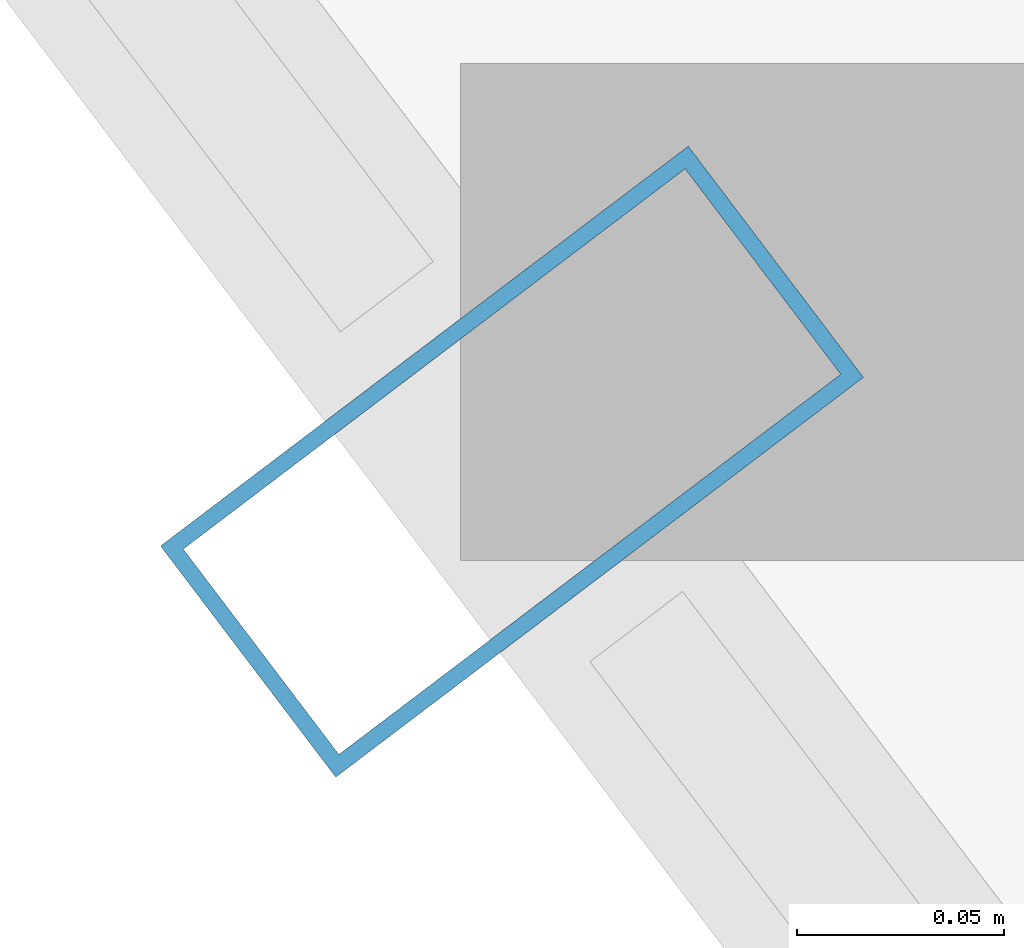
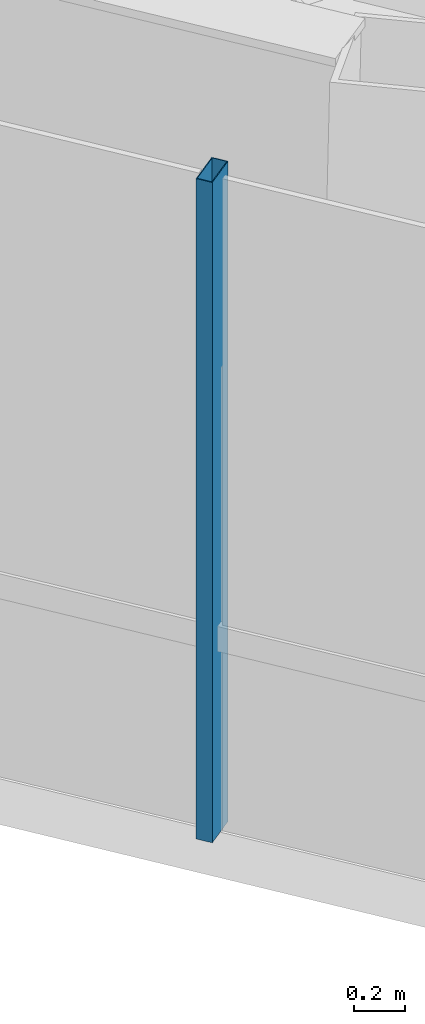
# One storey, part 5 of 27: 1 member, 1 element without a shape of its own.
"""IFC4 building model written with IfcOpenShell, lengths in metres."""

from ifc_helpers import new_model, si_unit, direction, frame, origin, origin_2d, place, context, subcontext, project, spatial, hollow_rectangle, extrude, material, layer, layer_set, material_profile, profile_set, type_object, element, aggregate, save


model = new_model("IFC4")

# Units and contexts
model_context = context("Model", 3, precision=1e-05, world=origin(), true_north=direction((0.0, 1.0)))
body_context = subcontext(model_context, "Body", "Model", "MODEL_VIEW")
ifc_project = project(units=[si_unit("LENGTHUNIT", "METRE"), si_unit("AREAUNIT", "SQUARE_METRE"), si_unit("VOLUMEUNIT", "CUBIC_METRE"), si_unit("PLANEANGLEUNIT", "RADIAN"), si_unit("MASSUNIT", "GRAM", prefix="KILO")], contexts=[model_context])

# Site, building, storey
site_placement = place(None, origin())
site = spatial("IfcSite", under=ifc_project, at=site_placement, CompositionType="ELEMENT")
building_placement = place(site_placement, origin())
building = spatial("IfcBuilding", under=site, at=building_placement, Name="Zarrinselat Tower", CompositionType="ELEMENT")
storey_placement = place(building_placement, frame((0.0, 0.0, 235.9599609375)))
storey = spatial("IfcBuildingStorey", under=building, at=storey_placement, Name="L59", CompositionType="ELEMENT", Elevation=235.9599609375)

# Curtain wall, member
ifc_material_1 = material(Name="Extruded Aluminium Alloy EN AW-6063 T6", Category="aluminium")
ifc_layer = layer(ifc_material_1, 0.169921875)
ifc_layer_set = layer_set([ifc_layer], Name="Extruded Aluminium Alloy EN AW-6063 T6")
curtain_wall_type = type_object("IfcCurtainWallType", Name="CWS-RES", PredefinedType="NOTDEFINED", material=ifc_layer_set)
curtain_wall_placement = place(storey_placement, origin())
curtain_wall = element("IfcCurtainWall", 1, at=curtain_wall_placement, inside=storey, type_object=curtain_wall_type, Name="L59 Unitised Curtain Wall CW-L59-E03", PredefinedType="NOTDEFINED")
ifc_material_2 = material(Name="Extruded Aluminium Alloy EN AW-6063 T6", Category="aluminium")
ifc_material_profile = material_profile(ifc_material_2, hollow_rectangle(XDim=0.070068359375, YDim=0.159912109375, WallThickness=0.00390625, at=origin_2d()), Name="RHS 160x70x4")
ifc_profile_set = profile_set([ifc_material_profile], Name="Extruded Aluminium Alloy EN AW-6063 T6")
member_type = type_object("IfcMemberType", Name="MEM-CW-MUL2", PredefinedType="MULLION", material=ifc_profile_set)
member_placement = place(storey_placement, frame((23.696044921875, 30.11376953125, 0.0), z_axis=(0.0, 0.0, 1.0), x_axis=(0.603857419315, -0.7970923517, 0.0)))
member = element("IfcMember", 2, at=member_placement, type_object=member_type, Name="CW-L59-E03 Mullion 4", PredefinedType="MULLION", context=body_context, shape_type="SweptSolid", body=[
    extrude(hollow_rectangle(XDim=0.070068359375, YDim=0.159912109375, WallThickness=0.00390625, at=origin_2d()), origin(), (0.0, 0.0, 1.0), 3.179931640625),
])
aggregate(curtain_wall, [member])

save(model, "model.ifc")
